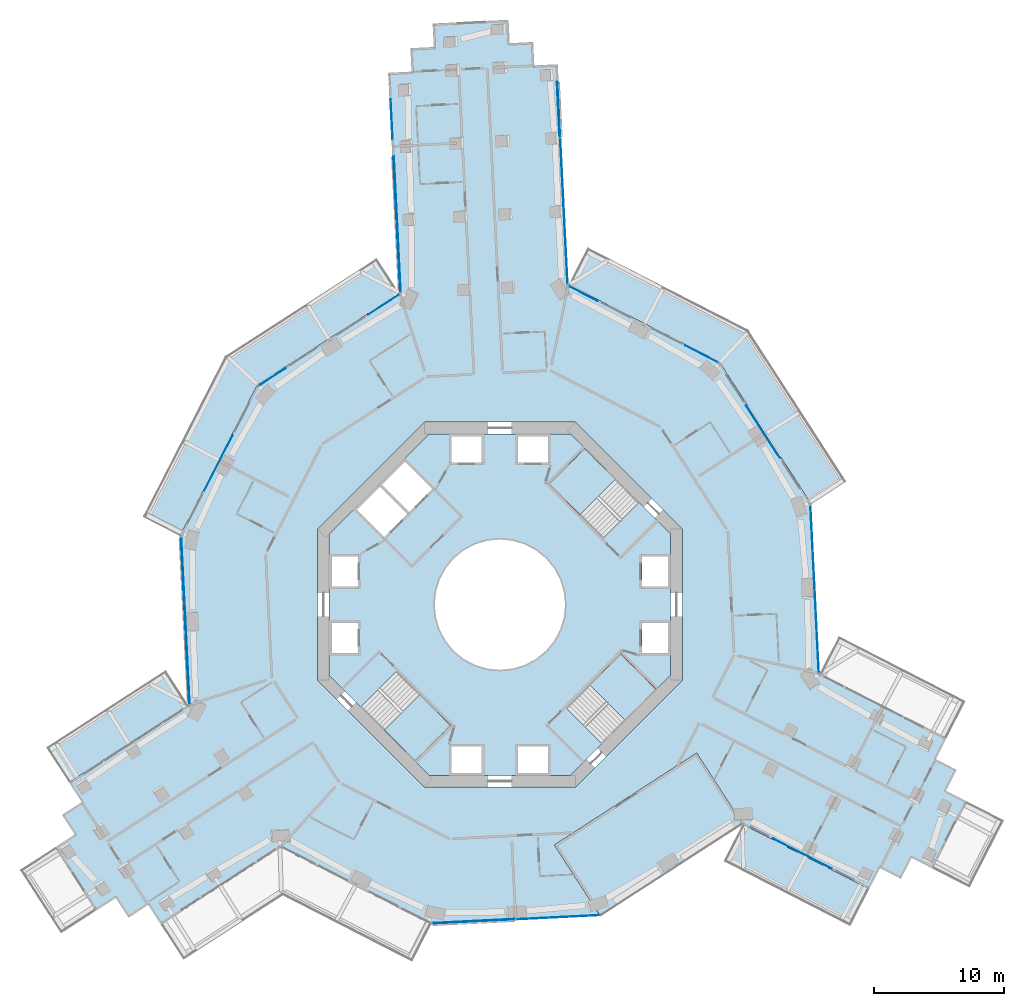
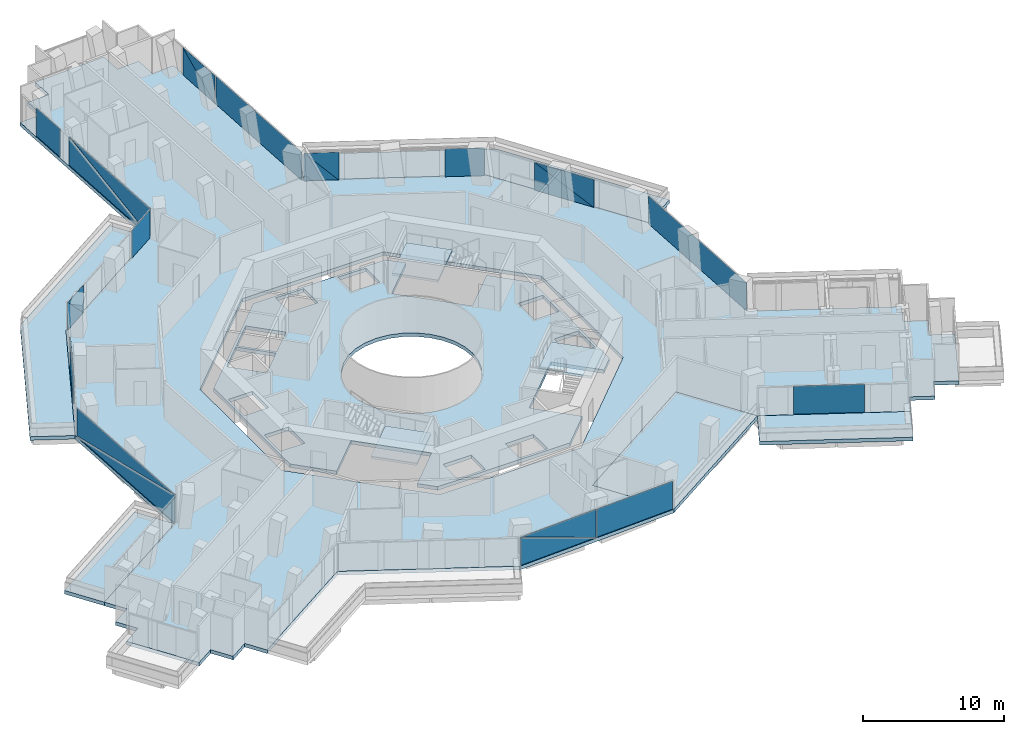
# One storey, part 14 of 25: 22 plates, 10 slabs, 13 elements without a shape of their own.
"""IFC4 building model written with IfcOpenShell, lengths in metres."""

from ifc_helpers import new_model, si_unit, direction, frame, origin, origin_2d, place, context, subcontext, project, spatial, polyline, rectangle, outline, extrude, material, layer, layer_set, type_object, element, aggregate, save


model = new_model("IFC4")

# Units and contexts
model_context = context("Model", 3, precision=1e-05, world=origin(), true_north=direction((0.0, 1.0)))
body_context = subcontext(model_context, "Body", "Model", "MODEL_VIEW")
ifc_project = project(units=[si_unit("LENGTHUNIT", "METRE"), si_unit("AREAUNIT", "SQUARE_METRE"), si_unit("VOLUMEUNIT", "CUBIC_METRE"), si_unit("PLANEANGLEUNIT", "RADIAN"), si_unit("MASSUNIT", "GRAM", prefix="KILO")], contexts=[model_context])

# Site, building, storey
site_placement = place(None, origin())
site = spatial("IfcSite", under=ifc_project, at=site_placement, CompositionType="ELEMENT")
building_placement = place(site_placement, origin())
building = spatial("IfcBuilding", under=site, at=building_placement, Name="Verdalira Terraces Hotel", CompositionType="ELEMENT")
storey_placement = place(building_placement, frame((0.0, 0.0, 46.0)))
storey = spatial("IfcBuildingStorey", under=building, at=storey_placement, Name="L09", CompositionType="ELEMENT", Elevation=46.0)

# Slabs
ifc_material_1 = material(Name="Precast concrete C40/50", Category="concrete")
ifc_layer_1 = layer(ifc_material_1, 0.31005859375)
ifc_layer_set_1 = layer_set([ifc_layer_1], Name="Balcony deck 310")
slab_type_1 = type_object("IfcSlabType", Name="Balcony deck 310", PredefinedType="FLOOR", material=ifc_layer_set_1)
slab_1_placement = place(storey_placement, frame((0.0, 0.0, -0.310059)))
element("IfcSlab", 1, at=slab_1_placement, inside=storey, type_object=slab_type_1, Name="Balcony deck", PredefinedType="FLOOR", context=body_context, shape_type="SweptSolid", body=[
    extrude(outline(polyline([(-21.085449, 19.06543), (-27.402344, 6.731689), (-24.554199, 5.272949), (-18.628174, 16.84375), (-7.710693, 23.901123), (-9.447754, 26.588379), (-21.085449, 19.06543)])), origin(), (0.0, 0.0, 1.0), 0.310059),
])
slab_2_placement = place(storey_placement, frame((0.0, 0.0, -0.310059)))
element("IfcSlab", 2, at=slab_2_placement, inside=storey, type_object=slab_type_1, Name="Balcony deck", PredefinedType="FLOOR", context=body_context, shape_type="SweptSolid", body=[
    extrude(outline(polyline([(-34.809082, -10.95166), (-33.072021, -13.638916), (-23.901123, -7.710693), (-25.638428, -5.023193), (-34.809082, -10.95166)])), origin(), (0.0, 0.0, 1.0), 0.310059),
])
slab_3_placement = place(storey_placement, frame((0.0, 0.0, -0.310059)))
element("IfcSlab", 3, at=slab_3_placement, inside=storey, type_object=slab_type_1, Name="Balcony deck", PredefinedType="FLOOR", context=body_context, shape_type="SweptSolid", body=[
    extrude(outline(polyline([(26.888916, -24.669922), (28.347656, -21.821777), (18.628174, -16.84375), (17.169434, -19.691895), (26.888916, -24.669922)])), origin(), (0.0, 0.0, 1.0), 0.310059),
])
slab_4_placement = place(storey_placement, frame((0.0, 0.0, -0.310059)))
element("IfcSlab", 4, at=slab_4_placement, inside=storey, type_object=slab_type_1, Name="Balcony deck", PredefinedType="FLOOR", context=body_context, shape_type="SweptSolid", body=[
    extrude(outline(polyline([(6.731689, 27.402344), (5.272949, 24.554199), (16.84375, 18.628174), (23.901123, 7.710693), (26.588379, 9.447754), (19.06543, 21.085449), (6.731689, 27.402344)])), origin(), (0.0, 0.0, 1.0), 0.310059),
])

# Curtain wall, plates
ifc_material_2 = material(Name="Clear glass", Category="glass")
ifc_layer_2 = layer(ifc_material_2, 0.14990234375)
ifc_layer_set_2 = layer_set([ifc_layer_2], Name="CW1 curtain wall")
curtain_wall_type_1 = type_object("IfcCurtainWallType", Name="CW1 curtain wall", PredefinedType="NOTDEFINED", material=ifc_layer_set_2)
curtain_wall_1_placement = place(storey_placement, origin())
curtain_wall_1 = element("IfcCurtainWall", 5, at=curtain_wall_1_placement, inside=storey, type_object=curtain_wall_type_1, Name="CW1 curtain wall L09 edge 11", PredefinedType="NOTDEFINED")
ifc_material_3 = material(Name="Clear glass", Category="glass")
ifc_layer_3 = layer(ifc_material_3, 0.028076171875)
ifc_layer_set_3 = layer_set([ifc_layer_3], Name="CW1 glass unit 28")
plate_type_1 = type_object("IfcPlateType", Name="CW1 glass unit 28", PredefinedType="CURTAIN_PANEL", material=ifc_layer_set_3)
plate_1_placement = place(storey_placement, frame((-8.912842, 23.034668, 0.0), z_axis=(0.0, 0.0, 1.0), x_axis=(-0.839809417, -0.542881334, 0.0)))
plate_1 = element("IfcPlate", 6, at=plate_1_placement, type_object=plate_type_1, Name="CW1 glass unit", PredefinedType="CURTAIN_PANEL", context=body_context, shape_type="SweptSolid", body=[
    extrude(rectangle(XDim=2.840088, YDim=0.028076, at=origin_2d()), origin(), (0.0, 0.0, 1.0), 2.425049),
])
plate_2_placement = place(storey_placement, frame((-17.471436, 17.485352, 1.212402), z_axis=(-0.542881334, 0.839809417, 0.0), x_axis=(-0.839809417, -0.542881334, 0.0)))
plate_2 = element("IfcPlate", 7, at=plate_2_placement, type_object=plate_type_1, Name="CW1 glass unit", PredefinedType="CURTAIN_PANEL", context=body_context, shape_type="SweptSolid", body=[
    extrude(outline(polyline([(-1.219727, -1.212402), (1.219727, -1.212402), (1.219727, 1.212402), (-1.219727, -1.212402)])), origin(), (0.0, 0.0, 1.0), 0.028076),
])
plate_3_placement = place(storey_placement, frame((-17.455566, 17.460938, 1.212402), z_axis=(-0.542881334, 0.839809417, 0.0), x_axis=(-0.839809417, -0.542881334, 0.0)))
plate_3 = element("IfcPlate", 8, at=plate_3_placement, type_object=plate_type_1, Name="CW1 glass unit", PredefinedType="CURTAIN_PANEL", context=body_context, shape_type="SweptSolid", body=[
    extrude(outline(polyline([(-1.219727, -1.212402), (1.219727, 1.212402), (-1.219727, 1.212402), (-1.219727, -1.212402)])), origin(), (0.0, 0.0, 1.0), 0.028076),
])
aggregate(curtain_wall_1, [plate_1, plate_2, plate_3])

# Curtain wall, plate
curtain_wall_2_placement = place(storey_placement, origin())
curtain_wall_2 = element("IfcCurtainWall", 9, at=curtain_wall_2_placement, inside=storey, type_object=curtain_wall_type_1, Name="CW1 curtain wall L09 edge 12", PredefinedType="NOTDEFINED")
plate_4_placement = place(storey_placement, frame((-21.605957, 10.865234, 0.0), z_axis=(0.0, 0.0, 1.0), x_axis=(-0.455855622, -0.890053735, 0.0)))
plate_4 = element("IfcPlate", 10, at=plate_4_placement, type_object=plate_type_1, Name="CW1 glass unit", PredefinedType="CURTAIN_PANEL", context=body_context, shape_type="SweptSolid", body=[
    extrude(rectangle(XDim=4.759277, YDim=0.028076, at=origin_2d()), origin(), (0.0, 0.0, 1.0), 2.425049),
])
aggregate(curtain_wall_2, [plate_4])

# Curtain wall, plates
curtain_wall_3_placement = place(storey_placement, origin())
curtain_wall_3 = element("IfcCurtainWall", 11, at=curtain_wall_3_placement, inside=storey, type_object=curtain_wall_type_1, Name="CW1 curtain wall L09 edge 13", PredefinedType="NOTDEFINED")
plate_5_placement = place(storey_placement, frame((-24.137939, -1.234375, 1.212402), z_axis=(-0.998736957, -0.050244318, 0.0), x_axis=(0.050244318, -0.998736957, 0.0)))
plate_5 = element("IfcPlate", 12, at=plate_5_placement, type_object=plate_type_1, Name="CW1 glass unit", PredefinedType="CURTAIN_PANEL", context=body_context, shape_type="SweptSolid", body=[
    extrude(outline(polyline([(-6.419922, -1.212402), (6.419922, -1.212402), (6.419922, 1.212402), (-6.419922, -1.212402)])), origin(), (0.0, 0.0, 1.0), 0.028076),
])
plate_6_placement = place(storey_placement, frame((-24.108887, -1.23291, 1.212402), z_axis=(-0.998736957, -0.050244318, 0.0), x_axis=(0.050244318, -0.998736957, 0.0)))
plate_6 = element("IfcPlate", 13, at=plate_6_placement, type_object=plate_type_1, Name="CW1 glass unit", PredefinedType="CURTAIN_PANEL", context=body_context, shape_type="SweptSolid", body=[
    extrude(outline(polyline([(-6.419922, -1.212402), (6.419922, 1.212402), (-6.419922, 1.212402), (-6.419922, -1.212402)])), origin(), (0.0, 0.0, 1.0), 0.028076),
])
aggregate(curtain_wall_3, [plate_5, plate_6])

curtain_wall_4_placement = place(storey_placement, origin())
curtain_wall_4 = element("IfcCurtainWall", 14, at=curtain_wall_4_placement, inside=storey, type_object=curtain_wall_type_1, Name="CW1 curtain wall L09 edge 26", PredefinedType="NOTDEFINED")
plate_7_placement = place(storey_placement, frame((-1.996582, -24.300293, 1.212402), z_axis=(0.050244318, -0.998736957, 0.0), x_axis=(0.998736957, 0.050244318, 0.0)))
plate_7 = element("IfcPlate", 15, at=plate_7_placement, type_object=plate_type_1, Name="CW1 glass unit", PredefinedType="CURTAIN_PANEL", context=body_context, shape_type="SweptSolid", body=[
    extrude(outline(polyline([(-3.185059, -1.212402), (3.185059, -1.212402), (-3.185059, 1.212402), (-3.185059, -1.212402)])), origin(), (0.0, 0.0, 1.0), 0.028076),
])
plate_8_placement = place(storey_placement, frame((-1.998047, -24.27124, 1.212402), z_axis=(0.050244318, -0.998736957, 0.0), x_axis=(0.998736957, 0.050244318, 0.0)))
plate_8 = element("IfcPlate", 16, at=plate_8_placement, type_object=plate_type_1, Name="CW1 glass unit", PredefinedType="CURTAIN_PANEL", context=body_context, shape_type="SweptSolid", body=[
    extrude(outline(polyline([(3.185059, -1.212402), (3.185059, 1.212402), (-3.185059, 1.212402), (3.185059, -1.212402)])), origin(), (0.0, 0.0, 1.0), 0.028076),
])
plate_9_placement = place(storey_placement, frame((4.446045, -23.990234, 0.0), z_axis=(0.0, 0.0, 1.0), x_axis=(0.998736957, 0.050244318, 0.0)))
plate_9 = element("IfcPlate", 17, at=plate_9_placement, type_object=plate_type_1, Name="CW1 glass unit", PredefinedType="CURTAIN_PANEL", context=body_context, shape_type="SweptSolid", body=[
    extrude(rectangle(XDim=6.409912, YDim=0.028076, at=origin_2d()), origin(), (0.0, 0.0, 1.0), 2.425049),
])
aggregate(curtain_wall_4, [plate_7, plate_8, plate_9])

# Curtain wall, plate
curtain_wall_5_placement = place(storey_placement, origin())
curtain_wall_5 = element("IfcCurtainWall", 18, at=curtain_wall_5_placement, inside=storey, type_object=curtain_wall_type_1, Name="CW1 curtain wall L09 edge 39", PredefinedType="NOTDEFINED")
plate_10_placement = place(storey_placement, frame((24.153809, 1.195068, 0.0), z_axis=(0.0, 0.0, 1.0), x_axis=(-0.050244318, 0.998736957, 0.0)))
plate_10 = element("IfcPlate", 19, at=plate_10_placement, type_object=plate_type_1, Name="CW1 glass unit", PredefinedType="CURTAIN_PANEL", context=body_context, shape_type="SweptSolid", body=[
    extrude(rectangle(XDim=12.839844, YDim=0.028076, at=origin_2d()), origin(), (0.0, 0.0, 1.0), 2.425049),
])
aggregate(curtain_wall_5, [plate_10])

# Curtain wall, plates
curtain_wall_6_placement = place(storey_placement, origin())
curtain_wall_6 = element("IfcCurtainWall", 20, at=curtain_wall_6_placement, inside=storey, type_object=curtain_wall_type_1, Name="CW1 curtain wall L09 edge 40", PredefinedType="NOTDEFINED")
plate_11_placement = place(storey_placement, frame((20.200684, 13.270996, 1.212402), z_axis=(0.839809417, 0.542881334, 0.0), x_axis=(-0.542881334, 0.839809417, 0.0)))
plate_11 = element("IfcPlate", 21, at=plate_11_placement, type_object=plate_type_1, Name="CW1 glass unit", PredefinedType="CURTAIN_PANEL", context=body_context, shape_type="SweptSolid", body=[
    extrude(outline(polyline([(-2.379639, -1.212402), (2.379639, -1.212402), (2.379639, 1.212402), (-2.379639, -1.212402)])), origin(), (0.0, 0.0, 1.0), 0.028076),
])
plate_12_placement = place(storey_placement, frame((20.17627, 13.255127, 1.212402), z_axis=(0.839809417, 0.542881334, 0.0), x_axis=(-0.542881334, 0.839809417, 0.0)))
plate_12 = element("IfcPlate", 22, at=plate_12_placement, type_object=plate_type_1, Name="CW1 glass unit", PredefinedType="CURTAIN_PANEL", context=body_context, shape_type="SweptSolid", body=[
    extrude(outline(polyline([(-2.379639, -1.212402), (2.379639, 1.212402), (-2.379639, 1.212402), (-2.379639, -1.212402)])), origin(), (0.0, 0.0, 1.0), 0.028076),
])
aggregate(curtain_wall_6, [plate_11, plate_12])

curtain_wall_7_placement = place(storey_placement, origin())
curtain_wall_7 = element("IfcCurtainWall", 23, at=curtain_wall_7_placement, inside=storey, type_object=curtain_wall_type_1, Name="CW1 curtain wall L09 edge 41", PredefinedType="NOTDEFINED")
plate_13_placement = place(storey_placement, frame((15.474365, 19.245117, 0.0), z_axis=(0.0, 0.0, 1.0), x_axis=(-0.890053735, 0.455855622, 0.0)))
plate_13 = element("IfcPlate", 24, at=plate_13_placement, type_object=plate_type_1, Name="CW1 glass unit", PredefinedType="CURTAIN_PANEL", context=body_context, shape_type="SweptSolid", body=[
    extrude(rectangle(XDim=2.799805, YDim=0.028076, at=origin_2d()), origin(), (0.0, 0.0, 1.0), 2.425049),
])
plate_14_placement = place(storey_placement, frame((6.38916, 23.882568, 1.212402), z_axis=(0.455855622, 0.890053735, 0.0), x_axis=(-0.890053735, 0.455855622, 0.0)))
plate_14 = element("IfcPlate", 25, at=plate_14_placement, type_object=plate_type_1, Name="CW1 glass unit", PredefinedType="CURTAIN_PANEL", context=body_context, shape_type="SweptSolid", body=[
    extrude(outline(polyline([(-1.239746, -1.212402), (1.239746, -1.212402), (1.239746, 1.212402), (-1.239746, -1.212402)])), origin(), (0.0, 0.0, 1.0), 0.028076),
])
plate_15_placement = place(storey_placement, frame((6.375977, 23.856689, 1.212402), z_axis=(0.455855622, 0.890053735, 0.0), x_axis=(-0.890053735, 0.455855622, 0.0)))
plate_15 = element("IfcPlate", 26, at=plate_15_placement, type_object=plate_type_1, Name="CW1 glass unit", PredefinedType="CURTAIN_PANEL", context=body_context, shape_type="SweptSolid", body=[
    extrude(outline(polyline([(-1.239746, -1.212402), (1.239746, 1.212402), (-1.239746, 1.212402), (-1.239746, -1.212402)])), origin(), (0.0, 0.0, 1.0), 0.028076),
])
aggregate(curtain_wall_7, [plate_13, plate_14, plate_15])

ifc_material_4 = material(Name="Clear glass", Category="glass")
ifc_layer_4 = layer(ifc_material_4, 0.14990234375)
ifc_layer_set_4 = layer_set([ifc_layer_4], Name="CW2 curtain wall")
curtain_wall_type_2 = type_object("IfcCurtainWallType", Name="CW2 curtain wall", PredefinedType="NOTDEFINED", material=ifc_layer_set_4)
curtain_wall_8_placement = place(storey_placement, origin())
curtain_wall_8 = element("IfcCurtainWall", 27, at=curtain_wall_8_placement, inside=storey, type_object=curtain_wall_type_2, Name="CW2 curtain wall L09 edge 0", PredefinedType="NOTDEFINED")
ifc_material_5 = material(Name="Clear glass", Category="glass")
ifc_layer_5 = layer(ifc_material_5, 0.031982421875)
ifc_layer_set_5 = layer_set([ifc_layer_5], Name="CW2 glass unit 32")
plate_type_2 = type_object("IfcPlateType", Name="CW2 glass unit 32", PredefinedType="CURTAIN_PANEL", material=ifc_layer_set_5)
plate_16_placement = place(storey_placement, frame((4.913818, 30.200928, 0.0), z_axis=(0.0, 0.0, 1.0), x_axis=(-0.050244318, 0.998736957, 0.0)))
plate_16 = element("IfcPlate", 28, at=plate_16_placement, type_object=plate_type_2, Name="CW2 glass unit", PredefinedType="CURTAIN_PANEL", context=body_context, shape_type="SweptSolid", body=[
    extrude(rectangle(XDim=11.175049, YDim=0.031982, at=origin_2d()), origin(), (0.0, 0.0, 1.0), 2.425049),
])
plate_17_placement = place(storey_placement, frame((4.506348, 37.983887, 1.212402), z_axis=(0.998736957, 0.050244318, 0.0), x_axis=(-0.050244318, 0.998736957, 0.0)))
plate_17 = element("IfcPlate", 29, at=plate_17_placement, type_object=plate_type_2, Name="CW2 glass unit", PredefinedType="CURTAIN_PANEL", context=body_context, shape_type="SweptSolid", body=[
    extrude(outline(polyline([(-2.13623, -1.212402), (2.13623, -1.212402), (2.13623, 1.212402), (-2.13623, -1.212402)])), origin(), (0.0, 0.0, 1.0), 0.031982),
])
plate_18_placement = place(storey_placement, frame((4.473389, 37.982178, 1.212402), z_axis=(0.998736957, 0.050244318, 0.0), x_axis=(-0.050244318, 0.998736957, 0.0)))
plate_18 = element("IfcPlate", 30, at=plate_18_placement, type_object=plate_type_2, Name="CW2 glass unit", PredefinedType="CURTAIN_PANEL", context=body_context, shape_type="SweptSolid", body=[
    extrude(outline(polyline([(-2.13623, -1.212402), (2.13623, 1.212402), (-2.13623, 1.212402), (-2.13623, -1.212402)])), origin(), (0.0, 0.0, 1.0), 0.031982),
])
aggregate(curtain_wall_8, [plate_16, plate_17, plate_18])

curtain_wall_9_placement = place(storey_placement, origin())
curtain_wall_9 = element("IfcCurtainWall", 31, at=curtain_wall_9_placement, inside=storey, type_object=curtain_wall_type_2, Name="CW2 curtain wall L09 edge 10", PredefinedType="NOTDEFINED")
plate_19_placement = place(storey_placement, frame((-8.30542, 37.218262, 0.0), z_axis=(0.0, 0.0, 1.0), x_axis=(0.050244318, -0.998736957, 0.0)))
plate_19 = element("IfcPlate", 32, at=plate_19_placement, type_object=plate_type_2, Name="CW2 glass unit", PredefinedType="CURTAIN_PANEL", context=body_context, shape_type="SweptSolid", body=[
    extrude(rectangle(XDim=3.100098, YDim=0.031982, at=origin_2d()), origin(), (0.0, 0.0, 1.0), 2.425049),
])
plate_20_placement = place(storey_placement, frame((-7.887695, 29.229492, 1.212402), z_axis=(-0.998736957, -0.050244318, 0.0), x_axis=(0.050244318, -0.998736957, 0.0)))
plate_20 = element("IfcPlate", 33, at=plate_20_placement, type_object=plate_type_2, Name="CW2 glass unit", PredefinedType="CURTAIN_PANEL", context=body_context, shape_type="SweptSolid", body=[
    extrude(outline(polyline([(-5.260498, -1.212402), (5.260498, -1.212402), (-5.260498, 1.212402), (-5.260498, -1.212402)])), origin(), (0.0, 0.0, 1.0), 0.031982),
])
plate_21_placement = place(storey_placement, frame((-7.854736, 29.231201, 1.212402), z_axis=(-0.998736957, -0.050244318, 0.0), x_axis=(0.050244318, -0.998736957, 0.0)))
plate_21 = element("IfcPlate", 34, at=plate_21_placement, type_object=plate_type_2, Name="CW2 glass unit", PredefinedType="CURTAIN_PANEL", context=body_context, shape_type="SweptSolid", body=[
    extrude(outline(polyline([(5.260498, -1.212402), (5.260498, 1.212402), (-5.260498, 1.212402), (5.260498, -1.212402)])), origin(), (0.0, 0.0, 1.0), 0.031982),
])
aggregate(curtain_wall_9, [plate_19, plate_20, plate_21])

# Curtain wall, plate
curtain_wall_10_placement = place(storey_placement, origin())
curtain_wall_10 = element("IfcCurtainWall", 35, at=curtain_wall_10_placement, inside=storey, type_object=curtain_wall_type_2, Name="CW2 curtain wall L09 edge 28", PredefinedType="NOTDEFINED")
plate_22_placement = place(storey_placement, frame((23.206055, -19.104004, 0.0), z_axis=(0.0, 0.0, 1.0), x_axis=(0.890053735, -0.455855622, 0.0)))
plate_22 = element("IfcPlate", 36, at=plate_22_placement, type_object=plate_type_2, Name="CW2 glass unit", PredefinedType="CURTAIN_PANEL", context=body_context, shape_type="SweptSolid", body=[
    extrude(rectangle(XDim=5.066162, YDim=0.031982, at=origin_2d()), origin(), (0.0, 0.0, 1.0), 2.425049),
])
aggregate(curtain_wall_10, [plate_22])

# Slab
ifc_material_6 = material(Name="Concrete C40", Category="concrete")
ifc_layer_6 = layer(ifc_material_6, 0.31005859375)
ifc_layer_set_6 = layer_set([ifc_layer_6], Name="Core floor slab 310 mm")
slab_type_2 = type_object("IfcSlabType", Name="Core floor slab 310 mm", PredefinedType="FLOOR", material=ifc_layer_set_6)
slab_5_placement = place(storey_placement, frame((0.0, 0.0, -0.310059)))
element("IfcSlab", 37, at=slab_5_placement, inside=storey, type_object=slab_type_2, Name="L09 core floor", PredefinedType="FLOOR", context=body_context, shape_type="SweptSolid", body=[
    extrude(outline(polyline([(-5.42627, 13.100098), (5.42627, 13.100098), (6.491211, 12.034912), (3.719482, 9.263184), (7.905029, 5.077393), (10.677002, 7.849121), (13.100098, 5.42627), (13.100098, -5.42627), (12.034912, -6.491211), (9.263184, -3.719482), (5.077393, -7.905029), (7.849121, -10.677002), (5.42627, -13.100098), (-5.42627, -13.100098), (-6.491211, -12.034912), (-3.719482, -9.263184), (-7.905029, -5.077393), (-10.677002, -7.849121), (-13.100098, -5.42627), (-13.100098, 5.42627), (-5.42627, 13.100098)]), holes=[polyline([(12.899902, -3.699951), (12.899902, -1.399902), (10.899902, -1.399902), (10.899902, -3.699951), (12.899902, -3.699951)]), polyline([(12.899902, 1.399902), (12.899902, 3.699951), (10.899902, 3.699951), (10.899902, 1.399902), (12.899902, 1.399902)]), polyline([(1.399902, 10.899902), (3.699951, 10.899902), (3.699951, 12.899902), (1.399902, 12.899902), (1.399902, 10.899902)]), polyline([(-3.699951, 10.899902), (-1.399902, 10.899902), (-1.399902, 12.899902), (-3.699951, 12.899902), (-3.699951, 10.899902)]), polyline([(-12.899902, 3.699951), (-12.899902, 1.399902), (-10.899902, 1.399902), (-10.899902, 3.699951), (-12.899902, 3.699951)]), polyline([(-12.899902, -1.399902), (-12.899902, -3.699951), (-10.899902, -3.699951), (-10.899902, -1.399902), (-12.899902, -1.399902)]), polyline([(-1.399902, -10.899902), (-3.699951, -10.899902), (-3.699951, -12.899902), (-1.399902, -12.899902), (-1.399902, -10.899902)]), polyline([(3.699951, -10.899902), (1.399902, -10.899902), (1.399902, -12.899902), (3.699951, -12.899902), (3.699951, -10.899902)]), polyline([(-9.051025, 9.192383), (-6.965088, 7.106445), (-5.197266, 8.874268), (-7.283203, 10.960205), (-9.051025, 9.192383)]), polyline([(-9.192383, 9.051025), (-10.960205, 7.283203), (-8.874268, 5.197266), (-7.106445, 6.965088), (-9.192383, 9.051025)]), polyline([(3.5354, 3.5354), (2.777832, 4.157227), (1.91333, 4.619385), (0.975586, 4.903809), (0.0, 5.0), (-0.975586, 4.903809), (-1.91333, 4.619385), (-2.777832, 4.157227), (-3.5354, 3.5354), (-4.157227, 2.777832), (-4.619385, 1.91333), (-4.903809, 0.975586), (-5.0, 0.0), (-4.903809, -0.975586), (-4.619385, -1.91333), (-4.157227, -2.777832), (-3.5354, -3.5354), (-2.777832, -4.157227), (-1.91333, -4.619385), (-0.975586, -4.903809), (0.0, -5.0), (0.975586, -4.903809), (1.91333, -4.619385), (2.777832, -4.157227), (3.5354, -3.5354), (4.157227, -2.777832), (4.619385, -1.91333), (4.903809, -0.975586), (5.0, 0.0), (4.903809, 0.975586), (4.619385, 1.91333), (4.157227, 2.777832), (3.5354, 3.5354)])]), origin(), (0.0, 0.0, 1.0), 0.310059),
])

# Stair, slab
ifc_material_7 = material(Name="Concrete C40", Category="concrete")
stair_type = type_object("IfcStairType", Name="Core stair 20 risers 1900 mm wide", PredefinedType="HALF_TURN_STAIR", material=ifc_material_7)
stair_1_placement = place(storey_placement, origin())
stair_1 = element("IfcStair", 38, at=stair_1_placement, inside=storey, type_object=stair_type, Name="L09 Exit stair ST1", PredefinedType="HALF_TURN_STAIR")
ifc_material_8 = material(Name="Concrete C40", Category="concrete")
ifc_layer_7 = layer(ifc_material_8, 0.199951171875)
ifc_layer_set_7 = layer_set([ifc_layer_7], Name="Core stair landing 200 mm")
slab_type_3 = type_object("IfcSlabType", Name="Core stair landing 200 mm", PredefinedType="LANDING", material=ifc_layer_set_7)
slab_6_placement = place(storey_placement, frame((0.0, 0.0, 1.550049)))
slab_6 = element("IfcSlab", 39, at=slab_6_placement, type_object=slab_type_3, Name="ST1 landing 1", PredefinedType="LANDING", context=body_context, shape_type="SweptSolid", body=[
    extrude(outline(polyline([(8.895752, 9.630371), (6.505371, 12.020752), (3.747559, 9.263184), (6.137939, 6.872803), (8.895752, 9.630371)])), origin(), (0.0, 0.0, 1.0), 0.199951),
])
aggregate(stair_1, [slab_6])

stair_2_placement = place(storey_placement, origin())
stair_2 = element("IfcStair", 40, at=stair_2_placement, inside=storey, type_object=stair_type, Name="L09 Exit stair ST2", PredefinedType="HALF_TURN_STAIR")
slab_7_placement = place(storey_placement, frame((0.0, 0.0, 1.550049)))
slab_7 = element("IfcSlab", 41, at=slab_7_placement, type_object=slab_type_3, Name="ST2 landing 1", PredefinedType="LANDING", context=body_context, shape_type="SweptSolid", body=[
    extrude(outline(polyline([(-8.895752, -9.630371), (-6.505371, -12.020752), (-3.747559, -9.263184), (-6.137939, -6.872803), (-8.895752, -9.630371)])), origin(), (0.0, 0.0, 1.0), 0.199951),
])
aggregate(stair_2, [slab_7])

stair_3_placement = place(storey_placement, origin())
stair_3 = element("IfcStair", 42, at=stair_3_placement, inside=storey, type_object=stair_type, Name="L09 Exit stair ST3", PredefinedType="HALF_TURN_STAIR")
slab_8_placement = place(storey_placement, frame((0.0, 0.0, 1.550049)))
slab_8 = element("IfcSlab", 43, at=slab_8_placement, type_object=slab_type_3, Name="ST3 landing 1", PredefinedType="LANDING", context=body_context, shape_type="SweptSolid", body=[
    extrude(outline(polyline([(9.630371, -8.895752), (12.020752, -6.505371), (9.263184, -3.747559), (6.872803, -6.137939), (9.630371, -8.895752)])), origin(), (0.0, 0.0, 1.0), 0.199951),
])
aggregate(stair_3, [slab_8])

# Slabs
ifc_material_9 = material(Name="Concrete C40", Category="concrete")
ifc_layer_8 = layer(ifc_material_9, 0.31005859375)
ifc_layer_set_8 = layer_set([ifc_layer_8], Name="Floor slab 310 C40")
slab_type_4 = type_object("IfcSlabType", Name="Floor slab 310 C40", PredefinedType="FLOOR", material=ifc_layer_set_8)
slab_9_placement = place(storey_placement, frame((0.0, 0.0, -0.310059)))
element("IfcSlab", 44, at=slab_9_placement, inside=storey, type_object=slab_type_4, Name="Floor slab L09", PredefinedType="FLOOR", context=body_context, shape_type="SweptSolid", body=[
    extrude(outline(polyline([(-16.843506, -18.628174), (-5.272949, -24.554199), (7.710205, -23.901123), (4.181152, -18.442139), (15.099609, -11.384277), (18.628906, -16.84375), (18.628662, -16.843994), (28.347656, -21.821777), (29.168213, -20.219482), (30.770264, -21.040039), (31.59082, -19.437988), (33.193115, -20.258545), (35.836914, -15.096191), (34.234863, -14.275635), (35.05542, -12.673584), (33.453369, -11.853027), (34.273682, -10.250977), (24.554199, -5.272949), (23.901123, 7.710693), (16.843506, 18.628174), (5.272949, 24.554199), (4.422852, 41.453125), (2.625, 41.362793), (2.534668, 43.1604), (0.736816, 43.069824), (0.646484, 44.867676), (-5.14624, 44.576416), (-5.055908, 42.778564), (-6.853516, 42.687988), (-6.763184, 40.890381), (-8.560791, 40.799805), (-7.710693, 23.901123), (-18.628174, 16.843506), (-24.554199, 5.272949), (-23.901123, -7.710693), (-33.072021, -13.638916), (-32.094727, -15.150635), (-33.606445, -16.127686), (-32.629395, -17.639404), (-34.140869, -18.616699), (-30.992188, -23.487549), (-29.480713, -22.510498), (-28.503418, -24.022217), (-26.991699, -23.044922), (-26.014404, -24.556396), (-16.843506, -18.628174)]), holes=[polyline([(5.799072, 14.0), (14.0, 5.799072), (14.0, -5.799072), (5.799072, -14.0), (-5.799072, -14.0), (-14.0, -5.799072), (-14.0, 5.799072), (-5.799072, 14.0), (5.799072, 14.0)])]), origin(), (0.0, 0.0, 1.0), 0.310059),
])
ifc_material_10 = material(Name="Concrete C40", Category="concrete")
ifc_layer_9 = layer(ifc_material_10, 0.31005859375)
ifc_layer_set_9 = layer_set([ifc_layer_9], Name="Loggia floor deck 310 C40")
slab_type_5 = type_object("IfcSlabType", Name="Loggia floor deck 310 C40", PredefinedType="FLOOR", material=ifc_layer_set_9)
slab_10_placement = place(storey_placement, frame((0.0, 0.0, -0.310059)))
element("IfcSlab", 45, at=slab_10_placement, inside=storey, type_object=slab_type_5, Name="Loggia deck L09", PredefinedType="FLOOR", context=body_context, shape_type="SweptSolid", body=[
    extrude(outline(polyline([(4.181885, -18.442383), (7.710693, -23.901123), (18.628174, -16.843506), (15.099365, -11.38501), (4.181885, -18.442383)])), origin(), (0.0, 0.0, 1.0), 0.310059),
])

save(model, "model.ifc")
